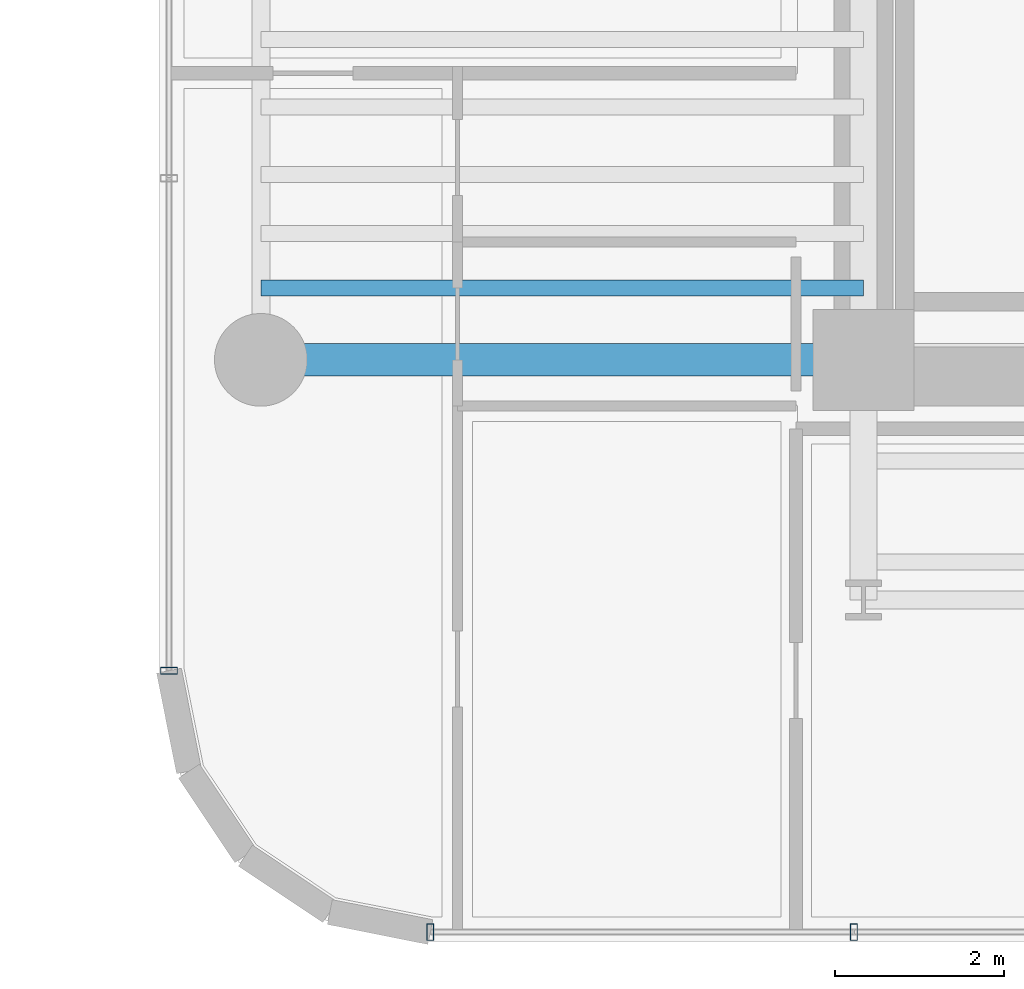
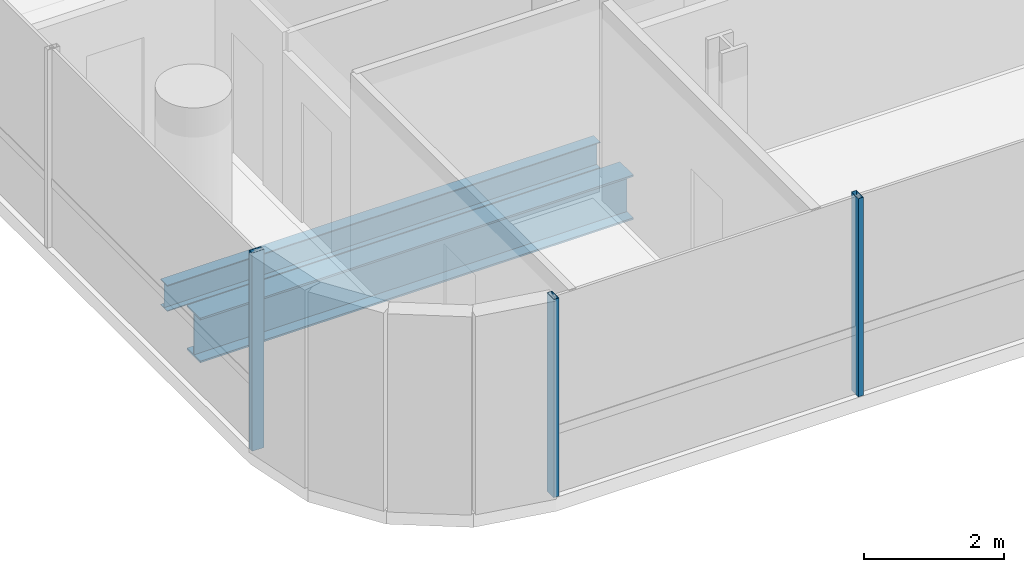
# One storey, part 2 of 35: 3 members, 2 beams, 2 elements without a shape of their own.
"""IFC4 building model written with IfcOpenShell, lengths in metres."""

import ifcopenshell
import ifcopenshell.guid

model = None  # the IFC model being written
_history = None  # IfcOwnerHistory: only IFC2X3 demands one
_inside = {}  # id of a spatial element -> (the spatial element, [elements in it])
_under = {}  # id of a project, library or spatial element -> (it, [spatial elements below it])
_declared = {}  # id of a project -> (the project, [libraries it declares])
_typed = {}  # id of a type object -> (the type object, [elements of that type])
_made_of = {}  # id of a material, layer set ... -> (it, [elements and type objects made of it])


def new_model(schema):
    """Start an empty IFC model of exactly this schema.

    Asked for "IFC4X3", IfcOpenShell would pick the latest addendum, in which some entities
    have other attributes; the version numbers below select the first issue.
    IFC2X3 requires an IfcOwnerHistory on every rooted entity: one is made here for all.
    """
    global model, _history
    if schema == "IFC4X3":
        model = ifcopenshell.file(schema_version=(4, 3, 0, 0))
    else:
        model = ifcopenshell.file(schema=schema)
    _inside.clear()
    _under.clear()
    _declared.clear()
    _typed.clear()
    _made_of.clear()
    _history = None
    if model.schema == "IFC2X3":
        org = make("IfcOrganization", Name="unknown")
        user = make(
            "IfcPersonAndOrganization",
            ThePerson=make("IfcPerson", FamilyName="unknown"),
            TheOrganization=org,
        )
        app = make(
            "IfcApplication",
            ApplicationDeveloper=org,
            Version="unknown",
            ApplicationFullName="unknown",
            ApplicationIdentifier="unknown",
        )
        _history = make(
            "IfcOwnerHistory",
            OwningUser=user,
            OwningApplication=app,
            ChangeAction="ADDED",
            CreationDate=0,
        )
    return model


def make(cls, **values):
    """One entity of the class cls with the attributes given. An attribute that is None is left unset."""
    return model.create_entity(
        cls, **{name: value for name, value in values.items() if value is not None}
    )


def rooted(cls, **values):
    """An entity with a GlobalId (a new one), such as an element, a storey or a relation."""
    return make(cls, GlobalId=ifcopenshell.guid.new(), OwnerHistory=_history, **values)


def si_unit(unit_type, name, prefix=None):
    """IfcSIUnit, for example si_unit("LENGTHUNIT", "METRE", prefix="MILLI")."""
    return make("IfcSIUnit", UnitType=unit_type, Prefix=prefix, Name=name)


def assignment(units):
    """IfcUnitAssignment: the units of a project."""
    return None if units is None else make("IfcUnitAssignment", Units=units)


def point(xyz):
    """IfcCartesianPoint."""
    return None if xyz is None else make("IfcCartesianPoint", Coordinates=xyz)


def direction(xyz):
    """IfcDirection."""
    return None if xyz is None else make("IfcDirection", DirectionRatios=xyz)


def frame(location, z_axis=None, x_axis=None):
    """IfcAxis2Placement3D, a coordinate frame: its origin and axes. An axis left out is left unset."""
    return make(
        "IfcAxis2Placement3D",
        Location=point(location),
        Axis=direction(z_axis),
        RefDirection=direction(x_axis),
    )


def frame_2d(location, x_axis=None):
    """IfcAxis2Placement2D, a coordinate frame in the plane: its origin and x axis."""
    return make(
        "IfcAxis2Placement2D", Location=point(location), RefDirection=direction(x_axis)
    )


def origin():
    """The frame at (0, 0, 0) with its axes left unset."""
    return frame((0.0, 0.0, 0.0))


def origin_2d():
    """The frame at (0, 0) in the plane with its x axis left unset."""
    return frame_2d((0.0, 0.0))


def place(relative_to, where):
    """IfcLocalPlacement: puts the frame where relative to a parent placement (None: the world)."""
    return make(
        "IfcLocalPlacement", PlacementRelTo=relative_to, RelativePlacement=where
    )


def context(
    kind, dimensions, precision=None, world=None, true_north=None, identifier=None
):
    """IfcGeometricRepresentationContext, for example the 3D "Model" context."""
    return make(
        "IfcGeometricRepresentationContext",
        ContextIdentifier=identifier,
        ContextType=kind,
        CoordinateSpaceDimension=dimensions,
        Precision=precision,
        WorldCoordinateSystem=world,
        TrueNorth=true_north,
    )


def subcontext(parent, identifier, kind, view, scale=None):
    """IfcGeometricRepresentationSubContext, for example "Body" below "Model"."""
    return make(
        "IfcGeometricRepresentationSubContext",
        ContextIdentifier=identifier,
        ContextType=kind,
        ParentContext=parent,
        TargetScale=scale,
        TargetView=view,
    )


def project(units=None, contexts=None):
    """IfcProject with its units and contexts."""
    return rooted(
        "IfcProject",
        Name="project",
        RepresentationContexts=contexts,
        UnitsInContext=assignment(units),
    )


def spatial(cls, under=None, at=None, **own):
    """A site, building, storey or space (cls), placed at a placement, below another one or the project."""
    s = rooted(cls, ObjectPlacement=at, **own)
    if under is not None:
        _under.setdefault(under.id(), (under, []))[1].append(s)
    return s


def profile(cls, at=None, kind="AREA", **sizes):
    """A parametric profile (cls). Its sizes go by their IFC names, for example OverallWidth=200.0."""
    return make(cls, ProfileType=kind, Position=at, **sizes)


def hollow_rectangle(**sizes):
    """IfcRectangleHollowProfileDef."""
    return profile("IfcRectangleHollowProfileDef", **sizes)


def i_section(**sizes):
    """IfcIShapeProfileDef."""
    return profile("IfcIShapeProfileDef", **sizes)


def extrude(swept, where, along, depth):
    """IfcExtrudedAreaSolid: the profile swept, set in the frame where, extruded along a direction by depth."""
    return make(
        "IfcExtrudedAreaSolid",
        SweptArea=swept,
        Position=where,
        ExtrudedDirection=direction(along),
        Depth=depth,
    )


def shape(context_of_items, identifier, shape_type, items):
    """IfcShapeRepresentation: the items that make up one representation, for example the "Body"."""
    return make(
        "IfcShapeRepresentation",
        ContextOfItems=context_of_items,
        RepresentationIdentifier=identifier,
        RepresentationType=shape_type,
        Items=items,
    )


def source(mapping_origin, context_of_items, identifier, shape_type, items):
    """IfcRepresentationMap: a shape defined once, which mapped items show again and again."""
    return make(
        "IfcRepresentationMap",
        MappingOrigin=mapping_origin,
        MappedRepresentation=shape(context_of_items, identifier, shape_type, items),
    )


def transform(
    local_origin,
    x_axis=None,
    y_axis=None,
    z_axis=None,
    scale=None,
    scale2=None,
    scale3=None,
    uniform=True,
):
    """IfcCartesianTransformationOperator3D, or its non-uniform kind. x_axis, y_axis, z_axis: its Axis1, 2, 3."""
    if uniform:
        return make(
            "IfcCartesianTransformationOperator3D",
            Axis1=direction(x_axis),
            Axis2=direction(y_axis),
            LocalOrigin=point(local_origin),
            Scale=scale,
            Axis3=direction(z_axis),
        )
    return make(
        "IfcCartesianTransformationOperator3DnonUniform",
        Axis1=direction(x_axis),
        Axis2=direction(y_axis),
        LocalOrigin=point(local_origin),
        Scale=scale,
        Axis3=direction(z_axis),
        Scale2=scale2,
        Scale3=scale3,
    )


def mapped(mapping_source, mapping_target):
    """IfcMappedItem: shows the shape of a source again, moved by a transform."""
    return make(
        "IfcMappedItem", MappingSource=mapping_source, MappingTarget=mapping_target
    )


def material(Name=None, Category=None):
    """IfcMaterial."""
    return make("IfcMaterial", Name=Name, Category=Category)


def material_profile(
    of_material, cross_section, Name=None, Category=None, Priority=None
):
    """IfcMaterialProfile: a cross section and its material."""
    return make(
        "IfcMaterialProfile",
        Name=Name,
        Material=of_material,
        Profile=cross_section,
        Priority=Priority,
        Category=Category,
    )


def profile_set(profiles, Name=None, composite=None):
    """IfcMaterialProfileSet."""
    return make(
        "IfcMaterialProfileSet",
        Name=Name,
        MaterialProfiles=profiles,
        CompositeProfile=composite,
    )


def made_of(thing, what):
    """Note that an element or type object is made of a material, layer set ...; save() writes the relation."""
    if what is not None:
        _made_of.setdefault(what.id(), (what, []))[1].append(thing)
    return thing


def type_object(cls, material=None, **own):
    """A type object (cls), such as IfcWallType, which elements share."""
    return made_of(rooted(cls, **own), material)


def element(
    cls,
    number,
    at=None,
    inside=None,
    cuts=None,
    type_object=None,
    material=None,
    context=None,
    identifier="Body",
    shape_type=None,
    held_by="IfcProductDefinitionShape",
    body=None,
    shapes=None,
    **own,
):
    """One element of the class cls, such as IfcWall. Its Tag is "e" and its number.

    at: its placement. inside: the storey or other place that contains it. cuts: it is an
    opening in that element (IfcRelVoidsElement). A single representation is given by context,
    identifier, shape_type and body (its items); several are given by shapes. held_by: the class
    of the entity that holds the representations. save() writes the other relations.
    """
    e = rooted(cls, Tag="e%d" % number, ObjectPlacement=at, **own)
    if body is not None:
        shapes = [shape(context, identifier, shape_type, body)]
    if shapes is not None:
        e.Representation = make(held_by, Representations=shapes)
    if inside is not None:
        _inside.setdefault(inside.id(), (inside, []))[1].append(e)
    if cuts is not None:
        rooted(
            "IfcRelVoidsElement", RelatingBuildingElement=cuts, RelatedOpeningElement=e
        )
    if type_object is not None:
        _typed.setdefault(type_object.id(), (type_object, []))[1].append(e)
    return made_of(e, material)


def aggregate(whole, parts):
    """IfcRelAggregates: a whole, such as a stair, and the parts it consists of."""
    return rooted("IfcRelAggregates", RelatingObject=whole, RelatedObjects=parts)


def save(model, path):
    """Write the relations noted so far, then the file.

    IfcRelAggregates (storeys below a building ...), IfcRelContainedInSpatialStructure (elements
    in a storey), IfcRelDefinesByType, IfcRelAssociatesMaterial and IfcRelDeclares: one each for
    every whole, place, type object, material and project.
    """
    for whole, parts in _under.values():
        aggregate(whole, parts)
    for where, things in _inside.values():
        rooted(
            "IfcRelContainedInSpatialStructure",
            RelatedElements=things,
            RelatingStructure=where,
        )
    for kind, things in _typed.values():
        rooted("IfcRelDefinesByType", RelatedObjects=things, RelatingType=kind)
    for what, things in _made_of.values():
        rooted("IfcRelAssociatesMaterial", RelatedObjects=things, RelatingMaterial=what)
    for by, libraries in _declared.values():
        rooted("IfcRelDeclares", RelatingContext=by, RelatedDefinitions=libraries)
    model.write(path)


model = new_model("IFC4")

# Units and contexts
model_context = context("Model", 3, precision=1e-05, world=origin(), true_north=direction((0.0, 1.0)))
body_context = subcontext(model_context, "Body", "Model", "MODEL_VIEW")
ifc_project = project(units=[si_unit("LENGTHUNIT", "METRE"), si_unit("AREAUNIT", "SQUARE_METRE"), si_unit("VOLUMEUNIT", "CUBIC_METRE"), si_unit("PLANEANGLEUNIT", "RADIAN"), si_unit("MASSUNIT", "GRAM", prefix="KILO")], contexts=[model_context])

# Site, building, storey
site_placement = place(None, origin())
site = spatial("IfcSite", under=ifc_project, at=site_placement, CompositionType="ELEMENT")
building_placement = place(site_placement, origin())
building = spatial("IfcBuilding", under=site, at=building_placement, Name="Valdorenza Pilgrim Sanctuary Tower", CompositionType="ELEMENT")
storey_placement = place(building_placement, frame((0.0, 0.0, 105.699951171875)))
storey = spatial("IfcBuildingStorey", under=building, at=storey_placement, Name="L26", CompositionType="ELEMENT", Elevation=105.699951171875)

# Beams
ifc_material_1 = material(Name="Steel ASTM A992 Grade 50", Category="steel")
ifc_material_profile_1 = material_profile(ifc_material_1, i_section(OverallWidth=0.382080078125, OverallDepth=0.779052734375, WebThickness=0.01806640625, FlangeThickness=0.030029296875, at=origin_2d()), Name="W30X191")
ifc_profile_set_1 = profile_set([ifc_material_profile_1], Name="Steel ASTM A992 Grade 50")
beam_type_1 = type_object("IfcBeamType", Name="STR-BM-GRD-W30", PredefinedType="BEAM", material=ifc_profile_set_1)
shared_shape_1 = source(origin(), body_context, "Body", "SweptSolid", [
    extrude(i_section(OverallWidth=0.382080078125, OverallDepth=0.779052734375, WebThickness=0.01806640625, FlangeThickness=0.030029296875, at=origin_2d()), origin(), (0.0, 0.0, 1.0), 7.150146484375),
])
beam_1_placement = place(storey_placement, frame((-29.800048828125, -10.60009765625, -0.62939453125), z_axis=(1.0, 0.0, 0.0), x_axis=(0.0, 1.0, 0.0)))
element("IfcBeam", 1, at=beam_1_placement, inside=storey, type_object=beam_type_1, Name="L26 Floor Girder WA-XW-S1", PredefinedType="BEAM", context=body_context, shape_type="MappedRepresentation", body=[
    mapped(shared_shape_1, transform((0.0, 0.0, 0.0), x_axis=(1.0, 0.0, 0.0), y_axis=(0.0, 1.0, 0.0), z_axis=(0.0, 0.0, 1.0), scale=1.0)),
])
ifc_material_profile_2 = material_profile(ifc_material_1, i_section(OverallWidth=0.19091796875, OverallDepth=0.45703125, WebThickness=0.009033203125, FlangeThickness=0.014404296875, at=origin_2d()), Name="W18X50")
ifc_profile_set_2 = profile_set([ifc_material_profile_2], Name="Steel ASTM A992 Grade 50")
beam_type_2 = type_object("IfcBeamType", Name="STR-BM-JST-W18B", PredefinedType="JOIST", material=ifc_profile_set_2)
shared_shape_2 = source(origin(), body_context, "Body", "SweptSolid", [
    extrude(i_section(OverallWidth=0.19091796875, OverallDepth=0.45703125, WebThickness=0.009033203125, FlangeThickness=0.014404296875, at=origin_2d()), origin(), (0.0, 0.0, 1.0), 7.150146484375),
])
beam_2_placement = place(storey_placement, frame((-29.800048828125, -9.75, -0.468505859375), z_axis=(1.0, 0.0, 0.0), x_axis=(0.0, 1.0, 0.0)))
element("IfcBeam", 2, at=beam_2_placement, inside=storey, type_object=beam_type_2, Name="L26 Composite Floor Joist JST-WA-1", PredefinedType="JOIST", context=body_context, shape_type="MappedRepresentation", body=[
    mapped(shared_shape_2, transform((0.0, 0.0, 0.0), x_axis=(1.0, 0.0, 0.0), y_axis=(0.0, 1.0, 0.0), z_axis=(0.0, 0.0, 1.0), scale=1.0)),
])

# Curtain wall, member
ifc_material_2 = material(Name="Curtain-wall IGU glazing", Category="glass")
curtain_wall_type = type_object("IfcCurtainWallType", Name="CW-SYS-02", PredefinedType="NOTDEFINED", material=ifc_material_2)
curtain_wall_1_placement = place(storey_placement, origin())
curtain_wall_1 = element("IfcCurtainWall", 3, at=curtain_wall_1_placement, inside=storey, type_object=curtain_wall_type, Name="L26 Curtain Wall CW-L26-1-1S1", PredefinedType="NOTDEFINED")
ifc_material_3 = material(Name="Anodised aluminium AW-6060", Category="aluminium")
ifc_material_profile_3 = material_profile(ifc_material_3, hollow_rectangle(XDim=0.0849609375, YDim=0.199951171875, WallThickness=0.0048828125, at=origin_2d()), Name="ALU-M 200x85x5")
ifc_profile_set_3 = profile_set([ifc_material_profile_3], Name="Anodised aluminium AW-6060")
member_type = type_object("IfcMemberType", Name="CW-MUL-02", PredefinedType="MULLION", material=ifc_profile_set_3)
shared_shape_3 = source(origin(), body_context, "Body", "SweptSolid", [
    extrude(hollow_rectangle(XDim=0.0849609375, YDim=0.199951171875, WallThickness=0.0048828125, at=origin_2d()), origin(), (0.0, 0.0, 1.0), 3.4599609375),
])
member_1_placement = place(storey_placement, frame((-30.889892578125, -14.289306640625, 0.0), z_axis=(0.0, 0.0, 1.0), x_axis=(0.0, 1.0, 0.0)))
member_1 = element("IfcMember", 4, at=member_1_placement, type_object=member_type, Name="CW-L26-1-1S1 Mullion 1", PredefinedType="MULLION", context=body_context, shape_type="MappedRepresentation", body=[
    mapped(shared_shape_3, transform((0.0, 0.0, 0.0), x_axis=(1.0, 0.0, 0.0), y_axis=(0.0, 1.0, 0.0), z_axis=(0.0, 0.0, 1.0), scale=1.0)),
])
aggregate(curtain_wall_1, [member_1])

# Curtain wall, members
curtain_wall_2_placement = place(storey_placement, origin())
curtain_wall_2 = element("IfcCurtainWall", 5, at=curtain_wall_2_placement, inside=storey, type_object=curtain_wall_type, Name="L26 Curtain Wall CW-L26-1-46", PredefinedType="NOTDEFINED")
member_2_placement = place(storey_placement, frame((-22.76318359375, -17.389892578125, 0.0), z_axis=(0.0, 0.0, 1.0), x_axis=(-1.0, 0.0, 0.0)))
member_2 = element("IfcMember", 6, at=member_2_placement, type_object=member_type, Name="CW-L26-1-46 Mullion 3", PredefinedType="MULLION", context=body_context, shape_type="MappedRepresentation", body=[
    mapped(shared_shape_3, transform((0.0, 0.0, 0.0), x_axis=(1.0, 0.0, 0.0), y_axis=(0.0, 1.0, 0.0), z_axis=(0.0, 0.0, 1.0), scale=1.0)),
])
member_3_placement = place(storey_placement, frame((-27.789306640625, -17.389892578125, 0.0), z_axis=(0.0, 0.0, 1.0), x_axis=(-1.0, 0.0, 0.0)))
member_3 = element("IfcMember", 7, at=member_3_placement, type_object=member_type, Name="CW-L26-1-46 Mullion 4", PredefinedType="MULLION", context=body_context, shape_type="MappedRepresentation", body=[
    mapped(shared_shape_3, transform((0.0, 0.0, 0.0), x_axis=(1.0, 0.0, 0.0), y_axis=(0.0, 1.0, 0.0), z_axis=(0.0, 0.0, 1.0), scale=1.0)),
])
aggregate(curtain_wall_2, [member_2, member_3])

save(model, "model.ifc")
